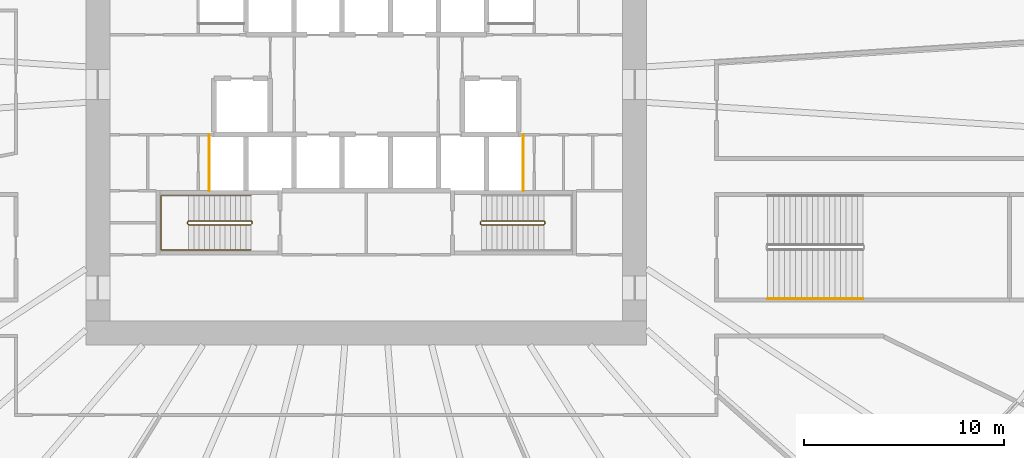
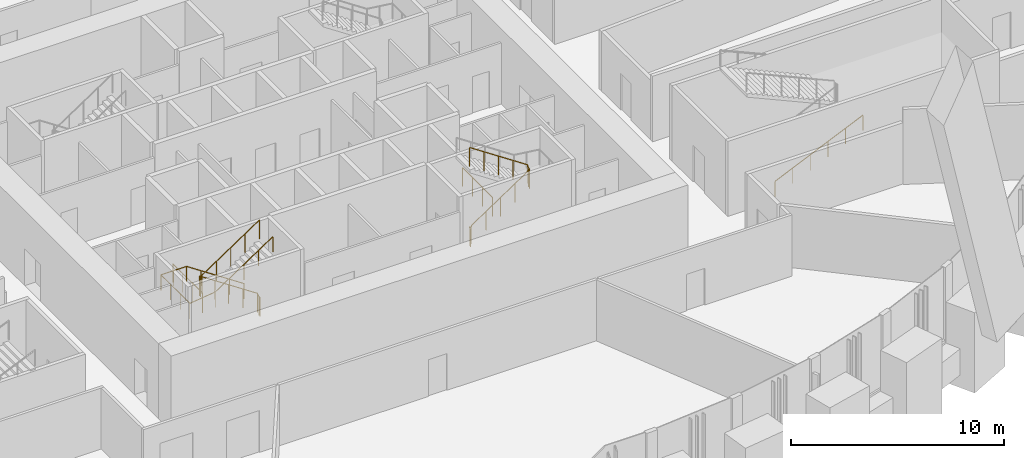
# One storey, part 14 of 21: 6 railings.
"""IFC4 building model written with IfcOpenShell, lengths in metres."""

from ifc_helpers import new_model, si_unit, direction, frame, origin, origin_2d, place, context, subcontext, project, spatial, circle, extrude, source, transform, mapped, material, type_object, element, save


model = new_model("IFC4")

# Units and contexts
model_context = context("Model", 3, precision=1e-05, world=origin(), true_north=direction((0.0, 1.0)))
body_context = subcontext(model_context, "Body", "Model", "MODEL_VIEW")
ifc_project = project(units=[si_unit("LENGTHUNIT", "METRE"), si_unit("AREAUNIT", "SQUARE_METRE"), si_unit("VOLUMEUNIT", "CUBIC_METRE"), si_unit("PLANEANGLEUNIT", "RADIAN"), si_unit("MASSUNIT", "GRAM", prefix="KILO")], contexts=[model_context])

# Site, building, storey
site_placement = place(None, origin())
site = spatial("IfcSite", under=ifc_project, at=site_placement, CompositionType="ELEMENT")
building_placement = place(site_placement, origin())
building = spatial("IfcBuilding", under=site, at=building_placement, Name="Embergate Tower", CompositionType="ELEMENT")
storey_placement = place(building_placement, frame((0.0, 0.0, 33.5)))
storey = spatial("IfcBuildingStorey", under=building, at=storey_placement, Name="L04", CompositionType="ELEMENT", Elevation=33.5)

# Railings
ifc_material_1 = material(Name="Stair guard 1100")
railing_type_1 = type_object("IfcRailingType", Name="Stair guard 1100", PredefinedType="GUARDRAIL", material=ifc_material_1)
shared_shape_1 = source(origin(), body_context, "Body", "SweptSolid", [
    extrude(circle(Radius=0.02392578125, at=origin_2d()), frame((0.0, 0.0, 1.076171875), z_axis=(0.0, 1.0, 0.0), x_axis=(-1.0, 0.0, 0.0)), (0.0, 0.0, 1.0), 0.099853515625),
    extrude(circle(Radius=0.02392578125, at=origin_2d()), frame((0.0, 0.099853515625, 1.076171875), z_axis=(-0.267629722418, 0.267629722418, 0.925607186314), x_axis=(-0.707106781187, -0.707106781187, 0.0)), (0.0, 0.0, 1.0), 0.18701171875),
    extrude(circle(Radius=0.02392578125, at=origin_2d()), frame((-0.050048828125, 0.14990234375, 1.2490234375), z_axis=(-0.83244090515, 0.0, 0.554113832559), x_axis=(0.0, -1.0, 0.0)), (0.0, 0.0, 1.0), 3.748046875),
    extrude(circle(Radius=0.02392578125, at=origin_2d()), frame((-3.170166015625, 0.14990234375, 3.326171875), z_axis=(-0.705375805398, -0.708833529934, 0.0), x_axis=(0.708833529934, -0.705375805398, 0.0)), (0.0, 0.0, 1.0), 0.070556640625),
    extrude(circle(Radius=0.02392578125, at=origin_2d()), frame((-3.219970703125, 0.099853515625, 3.326171875), z_axis=(0.0, -1.0, 0.0), x_axis=(1.0, 0.0, 0.0)), (0.0, 0.0, 1.0), 0.099853515625),
    extrude(circle(Radius=0.02392578125, at=origin_2d()), frame((-3.219970703125, 0.0, 3.326171875), z_axis=(0.266417085129, -0.267723051232, 0.925929967433), x_axis=(0.708833529934, 0.705375805398, 0.0)), (0.0, 0.0, 1.0), 0.18701171875),
    extrude(circle(Radius=0.02392578125, at=origin_2d()), frame((-3.170166015625, -0.050048828125, 3.4990234375), z_axis=(0.83244090515, 0.0, 0.554113832559), x_axis=(0.0, 1.0, 0.0)), (0.0, 0.0, 1.0), 3.748046875),
    extrude(circle(Radius=0.02099609375, at=origin_2d()), origin(), (0.0, 0.0, 1.0), 1.052001953125),
    extrude(circle(Radius=0.02099609375, at=origin_2d()), frame((0.0, 0.099853515625, 0.0)), (0.0, 0.0, 1.0), 1.052001953125),
    extrude(circle(Radius=0.02099609375, at=origin_2d()), frame((-0.050048828125, 0.14990234375, 0.173095703125)), (0.0, 0.0, 1.0), 1.052001953125),
    extrude(circle(Radius=0.02099609375, at=origin_2d()), frame((-0.830078125, 0.14990234375, 0.6923828125)), (0.0, 0.0, 1.0), 1.052001953125),
    extrude(circle(Radius=0.02099609375, at=origin_2d()), frame((-1.610107421875, 0.14990234375, 1.21142578125)), (0.0, 0.0, 1.0), 1.052001953125),
    extrude(circle(Radius=0.02099609375, at=origin_2d()), frame((-2.39013671875, 0.14990234375, 1.730712890625)), (0.0, 0.0, 1.0), 1.052001953125),
    extrude(circle(Radius=0.02099609375, at=origin_2d()), frame((-3.170166015625, 0.14990234375, 2.25)), (0.0, 0.0, 1.0), 1.052001953125),
    extrude(circle(Radius=0.02099609375, at=origin_2d()), frame((-3.219970703125, 0.099853515625, 2.25)), (0.0, 0.0, 1.0), 1.052001953125),
    extrude(circle(Radius=0.02099609375, at=origin_2d()), frame((-3.219970703125, 0.0, 2.25)), (0.0, 0.0, 1.0), 1.052001953125),
    extrude(circle(Radius=0.02099609375, at=origin_2d()), frame((-3.170166015625, -0.050048828125, 2.423095703125)), (0.0, 0.0, 1.0), 1.052001953125),
    extrude(circle(Radius=0.02099609375, at=origin_2d()), frame((-2.39013671875, -0.050048828125, 2.9423828125)), (0.0, 0.0, 1.0), 1.052001953125),
    extrude(circle(Radius=0.02099609375, at=origin_2d()), frame((-1.610107421875, -0.050048828125, 3.46142578125)), (0.0, 0.0, 1.0), 1.052001953125),
    extrude(circle(Radius=0.02099609375, at=origin_2d()), frame((-0.830078125, -0.050048828125, 3.980712890625)), (0.0, 0.0, 1.0), 1.052001953125),
    extrude(circle(Radius=0.02099609375, at=origin_2d()), frame((-0.050048828125, -0.050048828125, 4.5)), (0.0, 0.0, 1.0), 1.052001953125),
])
railing_1_placement = place(storey_placement, frame((-5.699951171875, -6.949951171875, 0.0)))
element("IfcRailing", 1, at=railing_1_placement, inside=storey, type_object=railing_type_1, Name="L04 ST3 stair guard 1", PredefinedType="GUARDRAIL", context=body_context, shape_type="MappedRepresentation", body=[
    mapped(shared_shape_1, transform((0.0, 0.0, 0.0))),
])
ifc_material_2 = material(Name="Stair handrail 900")
railing_type_2 = type_object("IfcRailingType", Name="Stair handrail 900", PredefinedType="HANDRAIL", material=ifc_material_2)
shared_shape_2 = source(origin(), body_context, "Body", "SweptSolid", [
    extrude(circle(Radius=0.02392578125, at=origin_2d()), frame((0.0, 0.0, 0.8759765625), z_axis=(-0.83244090515, 0.0, 0.554113832559), x_axis=(0.0, -1.0, 0.0)), (0.0, 0.0, 1.0), 3.748046875),
    extrude(circle(Radius=0.02392578125, at=origin_2d()), frame((-3.1201171875, 0.0, 2.95263671875), z_axis=(-1.0, 0.0, 0.0), x_axis=(0.0, -1.0, 0.0)), (0.0, 0.0, 1.0), 1.3798828125),
    extrude(circle(Radius=0.02392578125, at=origin_2d()), frame((-4.5, 0.0, 2.95263671875), z_axis=(0.0, -1.0, 0.0), x_axis=(1.0, 0.0, 0.0)), (0.0, 0.0, 1.0), 2.699951171875),
    extrude(circle(Radius=0.02392578125, at=origin_2d()), frame((-4.5, -2.699951171875, 2.95263671875), z_axis=(0.992223766409, 0.0, 0.12446685251), x_axis=(0.0, 1.0, 0.0)), (0.0, 0.0, 1.0), 1.390625),
    extrude(circle(Radius=0.02392578125, at=origin_2d()), frame((-3.1201171875, -2.699951171875, 3.1259765625), z_axis=(0.83244090515, 0.0, 0.554113832559), x_axis=(0.0, 1.0, 0.0)), (0.0, 0.0, 1.0), 3.748046875),
    extrude(circle(Radius=0.02099609375, at=origin_2d()), origin(), (0.0, 0.0, 1.0), 0.851806640625),
    extrude(circle(Radius=0.02099609375, at=origin_2d()), frame((-0.780029296875, 0.0, 0.519287109375)), (0.0, 0.0, 1.0), 0.851806640625),
    extrude(circle(Radius=0.02099609375, at=origin_2d()), frame((-1.56005859375, 0.0, 1.03857421875)), (0.0, 0.0, 1.0), 0.851806640625),
    extrude(circle(Radius=0.02099609375, at=origin_2d()), frame((-2.340087890625, 0.0, 1.5576171875)), (0.0, 0.0, 1.0), 0.851806640625),
    extrude(circle(Radius=0.02099609375, at=origin_2d()), frame((-3.1201171875, 0.0, 2.076904296875)), (0.0, 0.0, 1.0), 0.851806640625),
    extrude(circle(Radius=0.02099609375, at=origin_2d()), frame((-3.81005859375, 0.0, 2.076904296875)), (0.0, 0.0, 1.0), 0.851806640625),
    extrude(circle(Radius=0.02099609375, at=origin_2d()), frame((-4.5, 0.0, 2.076904296875)), (0.0, 0.0, 1.0), 0.851806640625),
    extrude(circle(Radius=0.02099609375, at=origin_2d()), frame((-4.5, -0.89990234375, 2.076904296875)), (0.0, 0.0, 1.0), 0.851806640625),
    extrude(circle(Radius=0.02099609375, at=origin_2d()), frame((-4.5, -1.800048828125, 2.076904296875)), (0.0, 0.0, 1.0), 0.851806640625),
    extrude(circle(Radius=0.02099609375, at=origin_2d()), frame((-4.5, -2.699951171875, 2.076904296875)), (0.0, 0.0, 1.0), 0.851806640625),
    extrude(circle(Radius=0.02099609375, at=origin_2d()), frame((-3.81005859375, -2.699951171875, 2.16357421875)), (0.0, 0.0, 1.0), 0.851806640625),
    extrude(circle(Radius=0.02099609375, at=origin_2d()), frame((-3.1201171875, -2.699951171875, 2.25)), (0.0, 0.0, 1.0), 0.851806640625),
    extrude(circle(Radius=0.02099609375, at=origin_2d()), frame((-2.340087890625, -2.699951171875, 2.769287109375)), (0.0, 0.0, 1.0), 0.851806640625),
    extrude(circle(Radius=0.02099609375, at=origin_2d()), frame((-1.56005859375, -2.699951171875, 3.28857421875)), (0.0, 0.0, 1.0), 0.851806640625),
    extrude(circle(Radius=0.02099609375, at=origin_2d()), frame((-0.780029296875, -2.699951171875, 3.8076171875)), (0.0, 0.0, 1.0), 0.851806640625),
    extrude(circle(Radius=0.02099609375, at=origin_2d()), frame((0.0, -2.699951171875, 4.326904296875)), (0.0, 0.0, 1.0), 0.851806640625),
])
railing_2_placement = place(storey_placement, frame((-5.75, -5.550048828125, 0.173095703125)))
element("IfcRailing", 2, at=railing_2_placement, inside=storey, type_object=railing_type_2, Name="L04 ST3 stair handrail 1", PredefinedType="HANDRAIL", context=body_context, shape_type="MappedRepresentation", body=[
    mapped(shared_shape_2, transform((0.0, 0.0, 0.0))),
])
shared_shape_3 = source(origin(), body_context, "Body", "SweptSolid", [
    extrude(circle(Radius=0.02392578125, at=origin_2d()), frame((0.0, 0.0, 1.076171875), z_axis=(0.0, -1.0, 0.0), x_axis=(1.0, 0.0, 0.0)), (0.0, 0.0, 1.0), 0.099853515625),
    extrude(circle(Radius=0.02392578125, at=origin_2d()), frame((0.0, -0.099853515625, 1.076171875), z_axis=(0.267629722418, -0.267629722418, 0.925607186314), x_axis=(0.707106781187, 0.707106781187, 0.0)), (0.0, 0.0, 1.0), 0.18701171875),
    extrude(circle(Radius=0.02392578125, at=origin_2d()), frame((0.050048828125, -0.14990234375, 1.2490234375), z_axis=(0.83244090515, 0.0, 0.554113832559), x_axis=(0.0, 1.0, 0.0)), (0.0, 0.0, 1.0), 3.748046875),
    extrude(circle(Radius=0.02392578125, at=origin_2d()), frame((3.170166015625, -0.14990234375, 3.326171875), z_axis=(0.705375805398, 0.708833529934, 0.0), x_axis=(-0.708833529934, 0.705375805398, 0.0)), (0.0, 0.0, 1.0), 0.070556640625),
    extrude(circle(Radius=0.02392578125, at=origin_2d()), frame((3.219970703125, -0.099853515625, 3.326171875), z_axis=(0.0, 1.0, 0.0), x_axis=(-1.0, 0.0, 0.0)), (0.0, 0.0, 1.0), 0.099853515625),
    extrude(circle(Radius=0.02392578125, at=origin_2d()), frame((3.219970703125, 0.0, 3.326171875), z_axis=(-0.266417085129, 0.267723051232, 0.925929967433), x_axis=(-0.708833529934, -0.705375805398, 0.0)), (0.0, 0.0, 1.0), 0.18701171875),
    extrude(circle(Radius=0.02392578125, at=origin_2d()), frame((3.170166015625, 0.050048828125, 3.4990234375), z_axis=(-0.83244090515, 0.0, 0.554113832559), x_axis=(0.0, -1.0, 0.0)), (0.0, 0.0, 1.0), 3.748046875),
    extrude(circle(Radius=0.02099609375, at=origin_2d()), origin(), (0.0, 0.0, 1.0), 1.052001953125),
    extrude(circle(Radius=0.02099609375, at=origin_2d()), frame((0.0, -0.099853515625, 0.0)), (0.0, 0.0, 1.0), 1.052001953125),
    extrude(circle(Radius=0.02099609375, at=origin_2d()), frame((0.050048828125, -0.14990234375, 0.173095703125)), (0.0, 0.0, 1.0), 1.052001953125),
    extrude(circle(Radius=0.02099609375, at=origin_2d()), frame((0.830078125, -0.14990234375, 0.6923828125)), (0.0, 0.0, 1.0), 1.052001953125),
    extrude(circle(Radius=0.02099609375, at=origin_2d()), frame((1.610107421875, -0.14990234375, 1.21142578125)), (0.0, 0.0, 1.0), 1.052001953125),
    extrude(circle(Radius=0.02099609375, at=origin_2d()), frame((2.39013671875, -0.14990234375, 1.730712890625)), (0.0, 0.0, 1.0), 1.052001953125),
    extrude(circle(Radius=0.02099609375, at=origin_2d()), frame((3.170166015625, -0.14990234375, 2.25)), (0.0, 0.0, 1.0), 1.052001953125),
    extrude(circle(Radius=0.02099609375, at=origin_2d()), frame((3.219970703125, -0.099853515625, 2.25)), (0.0, 0.0, 1.0), 1.052001953125),
    extrude(circle(Radius=0.02099609375, at=origin_2d()), frame((3.219970703125, 0.0, 2.25)), (0.0, 0.0, 1.0), 1.052001953125),
    extrude(circle(Radius=0.02099609375, at=origin_2d()), frame((3.170166015625, 0.050048828125, 2.423095703125)), (0.0, 0.0, 1.0), 1.052001953125),
    extrude(circle(Radius=0.02099609375, at=origin_2d()), frame((2.39013671875, 0.050048828125, 2.9423828125)), (0.0, 0.0, 1.0), 1.052001953125),
    extrude(circle(Radius=0.02099609375, at=origin_2d()), frame((1.610107421875, 0.050048828125, 3.46142578125)), (0.0, 0.0, 1.0), 1.052001953125),
    extrude(circle(Radius=0.02099609375, at=origin_2d()), frame((0.830078125, 0.050048828125, 3.980712890625)), (0.0, 0.0, 1.0), 1.052001953125),
    extrude(circle(Radius=0.02099609375, at=origin_2d()), frame((0.050048828125, 0.050048828125, 4.5)), (0.0, 0.0, 1.0), 1.052001953125),
])
railing_3_placement = place(storey_placement, frame((5.699951171875, -6.85009765625, 0.0)))
element("IfcRailing", 3, at=railing_3_placement, inside=storey, type_object=railing_type_1, Name="L04 ST4 stair guard 1", PredefinedType="GUARDRAIL", context=body_context, shape_type="MappedRepresentation", body=[
    mapped(shared_shape_3, transform((0.0, 0.0, 0.0))),
])
ifc_material_3 = material(Name="Opening guard 1100")
railing_type_3 = type_object("IfcRailingType", Name="Opening guard 1100", PredefinedType="GUARDRAIL", material=ifc_material_3)
shared_shape_4 = source(origin(), body_context, "Body", "SweptSolid", [
    extrude(circle(Radius=0.02392578125, at=origin_2d()), frame((0.0, 0.0, 1.076171875), z_axis=(0.0, 1.0, 0.0), x_axis=(-1.0, 0.0, 0.0)), (0.0, 0.0, 1.0), 2.800048828125),
    extrude(circle(Radius=0.02099609375, at=origin_2d()), origin(), (0.0, 0.0, 1.0), 1.052001953125),
    extrude(circle(Radius=0.02099609375, at=origin_2d()), frame((0.0, 0.933349609375, 0.0)), (0.0, 0.0, 1.0), 1.052001953125),
    extrude(circle(Radius=0.02099609375, at=origin_2d()), frame((0.0, 1.86669921875, 0.0)), (0.0, 0.0, 1.0), 1.052001953125),
    extrude(circle(Radius=0.02099609375, at=origin_2d()), frame((0.0, 2.800048828125, 0.0)), (0.0, 0.0, 1.0), 1.052001953125),
])
for number, where, name in (
    (4, (-7.85009765625, -5.300048828125, 0.0), "Riser opening guard"),
    (5, (7.85009765625, -5.300048828125, 0.0), "Riser opening guard"),
):
    element("IfcRailing", number, at=place(storey_placement, frame(where)), inside=storey, type_object=railing_type_3, Name=name, PredefinedType="GUARDRAIL", context=body_context, shape_type="MappedRepresentation", body=[
        mapped(shared_shape_4, transform((0.0, 0.0, 0.0))),
    ])
ifc_material_4 = material(Name="Steel", Category="steel")
railing_type_4 = type_object("IfcRailingType", Name="Podium stair handrail 900", PredefinedType="HANDRAIL", material=ifc_material_4)
shared_shape_5 = source(origin(), body_context, "Body", "SweptSolid", [
    extrude(circle(Radius=0.02392578125, at=origin_2d()), frame((0.0, 0.0, 0.8759765625), z_axis=(0.913138193756, 0.0, 0.40765014302), x_axis=(0.0, 1.0, 0.0)), (0.0, 0.0, 1.0), 5.212890625),
    extrude(circle(Radius=0.02099609375, at=origin_2d()), origin(), (0.0, 0.0, 1.0), 0.851806640625),
    extrude(circle(Radius=0.02099609375, at=origin_2d()), frame((0.951904296875, 0.0, 0.425048828125)), (0.0, 0.0, 1.0), 0.851806640625),
    extrude(circle(Radius=0.02099609375, at=origin_2d()), frame((1.904052734375, 0.0, 0.85009765625)), (0.0, 0.0, 1.0), 0.851806640625),
    extrude(circle(Radius=0.02099609375, at=origin_2d()), frame((2.85595703125, 0.0, 1.27490234375)), (0.0, 0.0, 1.0), 0.851806640625),
    extrude(circle(Radius=0.02099609375, at=origin_2d()), frame((3.80810546875, 0.0, 1.699951171875)), (0.0, 0.0, 1.0), 0.851806640625),
    extrude(circle(Radius=0.02099609375, at=origin_2d()), frame((4.760009765625, 0.0, 2.125)), (0.0, 0.0, 1.0), 0.851806640625),
])
railing_4_placement = place(storey_placement, frame((20.050048828125, -10.699951171875, 0.125)))
element("IfcRailing", 6, at=railing_4_placement, inside=storey, type_object=railing_type_4, Name="L04 P2 stair handrail 1", PredefinedType="HANDRAIL", context=body_context, shape_type="MappedRepresentation", body=[
    mapped(shared_shape_5, transform((0.0, 0.0, 0.0))),
])

save(model, "model.ifc")
